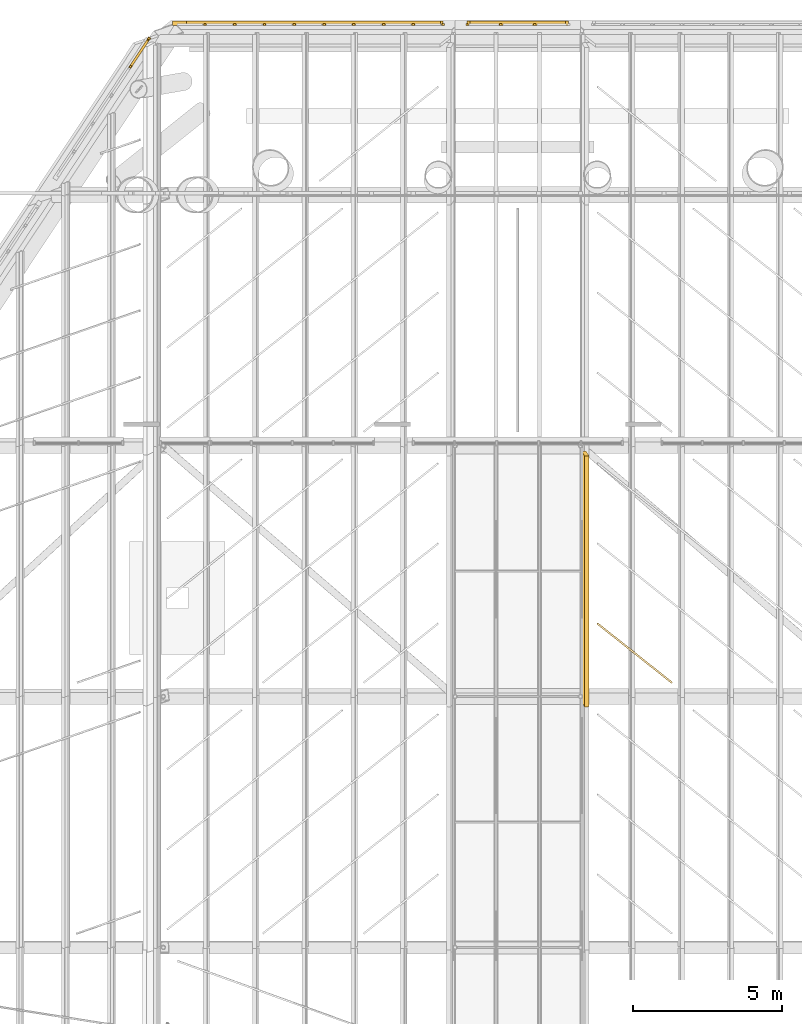
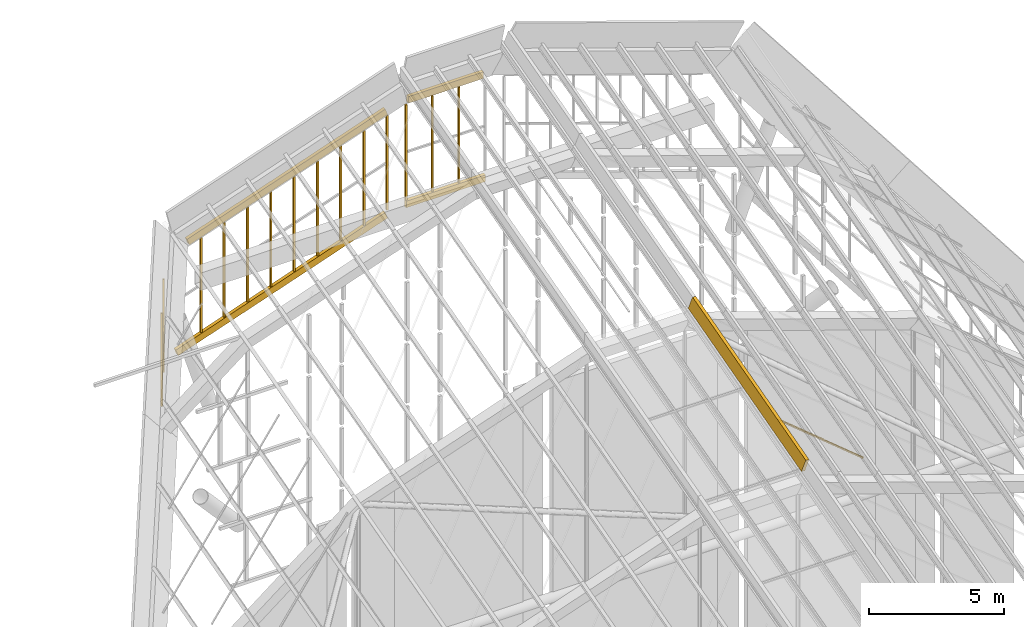
# One storey, part 115 of 126: 21 coverings.
"""IFC4 building model written with IfcOpenShell, lengths in metres."""

from ifc_helpers import new_model, si_unit, direction, frame, origin, origin_2d, place, context, subcontext, project, spatial, polyline, rectangle, outline, extrude, material, layer, layer_set, material_profile, profile_set, type_object, element, save


model = new_model("IFC4")

# Units and contexts
model_context = context("Model", 3, precision=1e-05, world=origin(), true_north=direction((0.0, 1.0)))
body_context = subcontext(model_context, "Body", "Model", "MODEL_VIEW")
ifc_project = project(units=[si_unit("LENGTHUNIT", "METRE"), si_unit("AREAUNIT", "SQUARE_METRE"), si_unit("VOLUMEUNIT", "CUBIC_METRE"), si_unit("PLANEANGLEUNIT", "RADIAN"), si_unit("MASSUNIT", "GRAM", prefix="KILO")], contexts=[model_context])

# Site, building, storey
site_placement = place(None, origin())
site = spatial("IfcSite", under=ifc_project, at=site_placement, CompositionType="ELEMENT")
building_placement = place(site_placement, origin())
building = spatial("IfcBuilding", under=site, at=building_placement, Name="Sava Quay Ferry Terminal", CompositionType="ELEMENT")
storey_placement = place(building_placement, frame((0.0, 0.0, 15.0)))
storey = spatial("IfcBuildingStorey", under=building, at=storey_placement, Name="L03", CompositionType="ELEMENT", Elevation=15.0)

# Coverings
ifc_material_1 = material(Name="Steel S355", Category="steel")
ifc_material_profile_1 = material_profile(ifc_material_1, rectangle(XDim=0.14990234375, YDim=0.60009765625, at=origin_2d()), Name="Cap 150 x 600")
ifc_profile_set_1 = profile_set([ifc_material_profile_1], Name="Steel S355")
covering_type_1 = type_object("IfcCoveringType", Name="Crease capping 150x600", PredefinedType="MOLDING", material=ifc_profile_set_1)
covering_1_placement = place(storey_placement, frame((65.262451171875, 92.135009765625, 24.792724609375), z_axis=(0.0, 0.964562342049, 0.263855051686), x_axis=(-0.987174546341, -0.042123048024, 0.153987219863)))
element("IfcCovering", 1, at=covering_1_placement, inside=storey, type_object=covering_type_1, Name="Departure hall crease capping bay 6 crease 3", PredefinedType="MOLDING", context=body_context, shape_type="SweptSolid", body=[
    extrude(rectangle(XDim=0.14990234375, YDim=0.60009765625, at=origin_2d()), origin(), (0.0, 0.0, 1.0), 8.708740234375),
])
ifc_material_2 = material(Name="Zinc standing seam sheet")
ifc_material_profile_2 = material_profile(ifc_material_2, rectangle(XDim=0.300048828125, YDim=0.14990234375, at=origin_2d()), Name="Strip 300 x 150")
ifc_profile_set_2 = profile_set([ifc_material_profile_2], Name="Zinc standing seam sheet")
covering_type_2 = type_object("IfcCoveringType", Name="Prow apron batten band 300 x 150", PredefinedType="CLADDING", material=ifc_profile_set_2)
covering_2_placement = place(storey_placement, frame((60.451171875, 114.93994140625, 24.02734375), z_axis=(-0.945520834598, 0.0, -0.325561593775), x_axis=(-0.325561593775, 0.0, 0.945520834598)))
element("IfcCovering", 2, at=covering_2_placement, inside=storey, type_object=covering_type_2, Name="Prow apron batten band", PredefinedType="CLADDING", context=body_context, shape_type="SweptSolid", body=[
    extrude(rectangle(XDim=0.300048828125, YDim=0.14990234375, at=origin_2d()), origin(), (0.0, 0.0, 1.0), 9.487060546875),
])
covering_3_placement = place(storey_placement, frame((60.453369140625, 114.93994140625, 28.710693359375), z_axis=(-0.945527985423, 0.0, -0.325540825061), x_axis=(-0.325540825061, 0.0, 0.945527985423)))
element("IfcCovering", 3, at=covering_3_placement, inside=storey, type_object=covering_type_2, Name="Prow apron batten band", PredefinedType="CLADDING", context=body_context, shape_type="SweptSolid", body=[
    extrude(rectangle(XDim=0.300048828125, YDim=0.14990234375, at=origin_2d()), origin(), (0.0, 0.0, 1.0), 8.982177734375),
])
covering_4_placement = place(storey_placement, frame((64.7001953125, 114.93994140625, 24.218017578125), z_axis=(-1.0, 0.0, 0.0), x_axis=(0.0, 0.0, 1.0)))
element("IfcCovering", 4, at=covering_4_placement, inside=storey, type_object=covering_type_2, Name="Prow apron batten band", PredefinedType="CLADDING", context=body_context, shape_type="SweptSolid", body=[
    extrude(rectangle(XDim=0.300048828125, YDim=0.14990234375, at=origin_2d()), origin(), (0.0, 0.0, 1.0), 3.400390625),
])
covering_5_placement = place(storey_placement, frame((64.60009765625, 114.93994140625, 28.91796875), z_axis=(-1.0, 0.0, 0.0), x_axis=(0.0, 0.0, 1.0)))
element("IfcCovering", 5, at=covering_5_placement, inside=storey, type_object=covering_type_2, Name="Prow apron batten band", PredefinedType="CLADDING", context=body_context, shape_type="SweptSolid", body=[
    extrude(rectangle(XDim=0.300048828125, YDim=0.14990234375, at=origin_2d()), origin(), (0.0, 0.0, 1.0), 3.2001953125),
])
ifc_material_3 = material(Name="Zinc standing seam sheet")
ifc_material_profile_3 = material_profile(ifc_material_3, rectangle(XDim=0.080078125, YDim=0.080078125, at=origin_2d()), Name="Strip 80 x 80")
ifc_profile_set_3 = profile_set([ifc_material_profile_3], Name="Zinc standing seam sheet")
covering_type_3 = type_object("IfcCoveringType", Name="Prow apron seam rib 80 x 80", PredefinedType="CLADDING", material=ifc_profile_set_3)
covering_6_placement = place(storey_placement, frame((50.65478515625, 114.434814453125, 20.63037109375), z_axis=(0.0, 0.0, 1.0), x_axis=(0.551746967429, 0.834011561031, 0.0)))
element("IfcCovering", 6, at=covering_6_placement, inside=storey, type_object=covering_type_3, Name="Prow apron seam rib", PredefinedType="CLADDING", context=body_context, shape_type="SweptSolid", body=[
    extrude(rectangle(XDim=0.080078125, YDim=0.080078125, at=origin_2d()), origin(), (0.0, 0.0, 1.0), 4.201171875),
])
covering_7_placement = place(storey_placement, frame((50.02880859375, 113.48828125, 19.882080078125), z_axis=(0.0, 0.0, 1.0), x_axis=(0.551746967429, 0.834011561031, 0.0)))
element("IfcCovering", 7, at=covering_7_placement, inside=storey, type_object=covering_type_3, Name="Prow apron seam rib", PredefinedType="CLADDING", context=body_context, shape_type="SweptSolid", body=[
    extrude(rectangle(XDim=0.080078125, YDim=0.080078125, at=origin_2d()), origin(), (0.0, 0.0, 1.0), 4.201416015625),
])
covering_8_placement = place(storey_placement, frame((50.6162109375, 114.37646484375, 22.684814453125), z_axis=(-0.460537072026, -0.69633696967, -0.550472914829), x_axis=(-0.3036620548, -0.459140268801, 0.834853023017)))
element("IfcCovering", 8, at=covering_8_placement, inside=storey, type_object=covering_type_3, Name="Prow apron cross seam", PredefinedType="CLADDING", context=body_context, shape_type="SweptSolid", body=[
    extrude(rectangle(XDim=0.080078125, YDim=0.080078125, at=origin_2d()), origin(), (0.0, 0.0, 1.0), 1.191650390625),
])
for number, where, z_axis, x_axis, name in (
    (9, (60.5, 114.905029296875, 24.242919921875), (0.0, 0.0, 1.0), (1.0, 0.0, 0.0), "Prow apron seam rib"),
    (10, (59.503173828125, 114.905029296875, 23.899658203125), (0.0, 0.0, 1.0), (1.0, 0.0, 0.0), "Prow apron seam rib"),
    (11, (58.506591796875, 114.905029296875, 23.556396484375), (0.0, 0.0, 1.0), (1.0, 0.0, 0.0), "Prow apron seam rib"),
):
    element("IfcCovering", number, at=place(storey_placement, frame(where, z_axis=z_axis, x_axis=x_axis)), inside=storey, type_object=covering_type_3, Name=name, PredefinedType="CLADDING", context=body_context, shape_type="SweptSolid", body=[
        extrude(rectangle(XDim=0.080078125, YDim=0.080078125, at=origin_2d()), origin(), (0.0, 0.0, 1.0), 4.285400390625),
    ])
covering_9_placement = place(storey_placement, frame((57.510009765625, 114.905029296875, 23.213134765625), z_axis=(0.0, 0.0, 1.0), x_axis=(1.0, 0.0, 0.0)))
element("IfcCovering", 12, at=covering_9_placement, inside=storey, type_object=covering_type_3, Name="Prow apron seam rib", PredefinedType="CLADDING", context=body_context, shape_type="SweptSolid", body=[
    extrude(rectangle(XDim=0.080078125, YDim=0.080078125, at=origin_2d()), origin(), (0.0, 0.0, 1.0), 4.28564453125),
])
for number, where, z_axis, x_axis, name in (
    (13, (56.51318359375, 114.905029296875, 22.8701171875), (0.0, 0.0, 1.0), (1.0, 0.0, 0.0), "Prow apron seam rib"),
    (14, (55.5166015625, 114.905029296875, 22.52685546875), (0.0, 0.0, 1.0), (1.0, 0.0, 0.0), "Prow apron seam rib"),
    (15, (54.52001953125, 114.905029296875, 22.18359375), (0.0, 0.0, 1.0), (1.0, 0.0, 0.0), "Prow apron seam rib"),
    (16, (53.523193359375, 114.905029296875, 21.840576171875), (0.0, 0.0, 1.0), (1.0, 0.0, 0.0), "Prow apron seam rib"),
    (17, (52.526611328125, 114.905029296875, 21.497314453125), (0.0, 0.0, 1.0), (1.0, 0.0, 0.0), "Prow apron seam rib"),
):
    element("IfcCovering", number, at=place(storey_placement, frame(where, z_axis=z_axis, x_axis=x_axis)), inside=storey, type_object=covering_type_3, Name=name, PredefinedType="CLADDING", context=body_context, shape_type="SweptSolid", body=[
        extrude(rectangle(XDim=0.080078125, YDim=0.080078125, at=origin_2d()), origin(), (0.0, 0.0, 1.0), 4.285400390625),
    ])
for number, where, z_axis, x_axis, name in (
    (18, (63.566650390625, 114.905029296875, 24.407958984375), (0.0, 0.0, 1.0), (1.0, 0.0, 0.0), "Prow apron seam rib"),
    (19, (62.433349609375, 114.905029296875, 24.407958984375), (0.0, 0.0, 1.0), (1.0, 0.0, 0.0), "Prow apron seam rib"),
    (20, (61.2998046875, 114.905029296875, 24.407958984375), (0.0, 0.0, 1.0), (1.0, 0.0, 0.0), "Prow apron seam rib"),
):
    element("IfcCovering", number, at=place(storey_placement, frame(where, z_axis=z_axis, x_axis=x_axis)), inside=storey, type_object=covering_type_3, Name=name, PredefinedType="CLADDING", context=body_context, shape_type="SweptSolid", body=[
        extrude(rectangle(XDim=0.080078125, YDim=0.080078125, at=origin_2d()), origin(), (0.0, 0.0, 1.0), 4.31982421875),
    ])
ifc_material_4 = material(Name="Zinc standing seam")
ifc_layer = layer(ifc_material_4, 0.0400390625)
ifc_layer_set = layer_set([ifc_layer], Name="Zinc standing seam")
covering_type_4 = type_object("IfcCoveringType", Name="Roof seam rib 60", PredefinedType="ROOFING", material=ifc_layer_set)
covering_10_placement = place(storey_placement, frame((68.146484375, 92.83642578125, 23.7138671875), z_axis=(0.31515429108, -0.250486267716, 0.915387569557), x_axis=(-0.716691945827, 0.569462079601, 0.402573713354)))
element("IfcCovering", 21, at=covering_10_placement, inside=storey, type_object=covering_type_4, Name="Roof seam rib", PredefinedType="ROOFING", context=body_context, shape_type="SweptSolid", body=[
    extrude(outline(polyline([(0.0, 0.0), (3.475631580524171, 1.1142887827719772e-16), (3.4755541517087227, -0.05993783299700273), (6.160001258011596e-05, -0.06012897648617529), (0.0, 0.0)])), origin(), (0.0, 0.0, -1.0), 0.0400390625),
])

save(model, "model.ifc")
